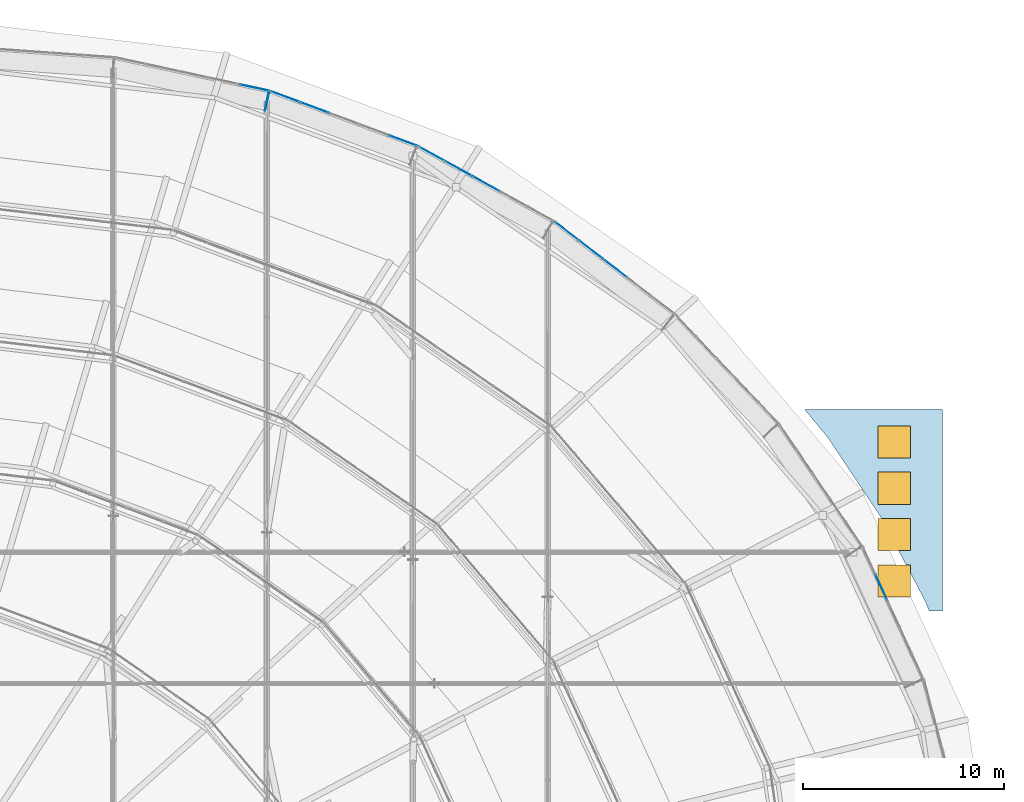
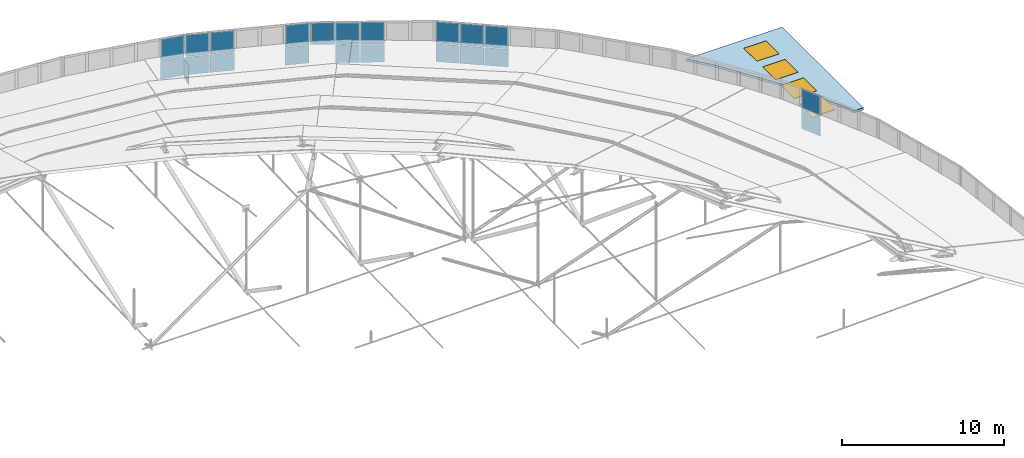
"""IFC4 building model written with IfcOpenShell, lengths in metres."""

from ifc_helpers import new_model, si_unit, direction, frame, origin, origin_2d, place, context, subcontext, project, spatial, polyline, rectangle, outline, extrude, material, layer, layer_set, type_object, element, fill, aggregate, save


model = new_model("IFC4")

# Units and contexts
model_context = context("Model", 3, precision=1e-05, world=origin(), true_north=direction((0.0, 1.0)))
body_context = subcontext(model_context, "Body", "Model", "MODEL_VIEW")
ifc_project = project(units=[si_unit("LENGTHUNIT", "METRE"), si_unit("AREAUNIT", "SQUARE_METRE"), si_unit("VOLUMEUNIT", "CUBIC_METRE"), si_unit("PLANEANGLEUNIT", "RADIAN"), si_unit("MASSUNIT", "GRAM", prefix="KILO")], contexts=[model_context])

# Site, building, storey
site_placement = place(None, origin())
site = spatial("IfcSite", under=ifc_project, at=site_placement, CompositionType="ELEMENT")
building_placement = place(site_placement, origin())
building = spatial("IfcBuilding", under=site, at=building_placement, Name="Glasvene Arena", CompositionType="ELEMENT")
storey_1_placement = place(building_placement, frame((0.0, 0.0, 28.800048828125)))
storey_1 = spatial("IfcBuildingStorey", under=building, at=storey_1_placement, Name="RF", CompositionType="ELEMENT", Elevation=28.800048828125)

# Curtain wall, plates
ifc_material_1 = material(Name="Low-emissivity laminated double glazing", Category="glass")
curtain_wall_type_1 = type_object("IfcCurtainWallType", Name="CW-DRUM-727x310", PredefinedType="USERDEFINED", material=ifc_material_1)
curtain_wall_1_placement = place(storey_1_placement, frame((140.075927734375, 87.07568359375, 0.0)))
curtain_wall_1 = element("IfcCurtainWall", 1, at=curtain_wall_1_placement, inside=storey_1, type_object=curtain_wall_type_1, Name="Crown compression-ring fascia curtain wall 03", ObjectType="CURTAIN WALL", PredefinedType="USERDEFINED")
ifc_material_2 = material(Name="Insulated shadow-box spandrel panel")
ifc_layer_1 = layer(ifc_material_2, 0.02392578125)
ifc_layer_set_1 = layer_set([ifc_layer_1], Name="Insulated shadow-box spandrel panel")
plate_type_1 = type_object("IfcPlateType", Name="CW-SPN-24", PredefinedType="CURTAIN_PANEL", material=ifc_layer_set_1)
plate_1_placement = place(storey_1_placement, frame((137.951171875, 91.6982421875, -1.330078125), z_axis=(0.0, 0.0, 1.0), x_axis=(-0.417660752738, 0.908603046232, 0.0)))
plate_1 = element("IfcPlate", 2, at=plate_1_placement, type_object=plate_type_1, Name="CW-073 panel 4.1", PredefinedType="CURTAIN_PANEL", context=body_context, shape_type="SweptSolid", body=[
    extrude(rectangle(XDim=1.403564453125, YDim=0.02392578125, at=origin_2d()), origin(), (0.0, 0.0, 1.0), 1.324951171875),
])
plate_2_placement = place(storey_1_placement, frame((137.951171875, 91.6982421875, 0.044921875), z_axis=(0.0, 0.0, 1.0), x_axis=(-0.417660752738, 0.908603046232, 0.0)))
plate_2 = element("IfcPlate", 3, at=plate_2_placement, type_object=plate_type_1, Name="CW-073 panel 4.2", PredefinedType="CURTAIN_PANEL", context=body_context, shape_type="SweptSolid", body=[
    extrude(rectangle(XDim=1.403564453125, YDim=0.02392578125, at=origin_2d()), origin(), (0.0, 0.0, 1.0), 1.625),
])
aggregate(curtain_wall_1, [plate_1, plate_2])

curtain_wall_type_2 = type_object("IfcCurtainWallType", Name="CW-DRUM-761x310", PredefinedType="USERDEFINED", material=ifc_material_1)
curtain_wall_2_placement = place(storey_1_placement, frame((127.744140625, 105.208740234375, 0.0)))
curtain_wall_2 = element("IfcCurtainWall", 4, at=curtain_wall_2_placement, inside=storey_1, type_object=curtain_wall_type_2, Name="Crown compression-ring fascia curtain wall 06", ObjectType="CURTAIN WALL", PredefinedType="USERDEFINED")
plate_3_placement = place(storey_1_placement, frame((124.728271484375, 107.52978515625, -1.330078125), z_axis=(0.0, 0.0, 1.0), x_axis=(-0.792482324569, 0.609894880488, 0.0)))
plate_3 = element("IfcPlate", 5, at=plate_3_placement, type_object=plate_type_1, Name="CW-076 panel 3.1", PredefinedType="CURTAIN_PANEL", context=body_context, shape_type="SweptSolid", body=[
    extrude(rectangle(XDim=1.47216796875, YDim=0.02392578125, at=origin_2d()), origin(), (0.0, 0.0, 1.0), 1.324951171875),
])
plate_4_placement = place(storey_1_placement, frame((124.728271484375, 107.52978515625, 0.044921875), z_axis=(0.0, 0.0, 1.0), x_axis=(-0.792482324569, 0.609894880488, 0.0)))
plate_4 = element("IfcPlate", 6, at=plate_4_placement, type_object=plate_type_1, Name="CW-076 panel 3.2", PredefinedType="CURTAIN_PANEL", context=body_context, shape_type="SweptSolid", body=[
    extrude(rectangle(XDim=1.47216796875, YDim=0.02392578125, at=origin_2d()), origin(), (0.0, 0.0, 1.0), 1.625),
])
plate_5_placement = place(storey_1_placement, frame((123.52197265625, 108.4580078125, -1.330078125), z_axis=(0.0, 0.0, 1.0), x_axis=(-0.792482324569, 0.609894880488, 0.0)))
plate_5 = element("IfcPlate", 7, at=plate_5_placement, type_object=plate_type_1, Name="CW-076 panel 4.1", PredefinedType="CURTAIN_PANEL", context=body_context, shape_type="SweptSolid", body=[
    extrude(rectangle(XDim=1.47216796875, YDim=0.02392578125, at=origin_2d()), origin(), (0.0, 0.0, 1.0), 1.324951171875),
])
plate_6_placement = place(storey_1_placement, frame((123.52197265625, 108.4580078125, 0.044921875), z_axis=(0.0, 0.0, 1.0), x_axis=(-0.792482324569, 0.609894880488, 0.0)))
plate_6 = element("IfcPlate", 8, at=plate_6_placement, type_object=plate_type_1, Name="CW-076 panel 4.2", PredefinedType="CURTAIN_PANEL", context=body_context, shape_type="SweptSolid", body=[
    extrude(rectangle(XDim=1.47216796875, YDim=0.02392578125, at=origin_2d()), origin(), (0.0, 0.0, 1.0), 1.625),
])
plate_7_placement = place(storey_1_placement, frame((122.32568359375, 109.37890625, -1.330078125), z_axis=(0.0, 0.0, 1.0), x_axis=(-0.792482324569, 0.609894880488, 0.0)))
plate_7 = element("IfcPlate", 9, at=plate_7_placement, type_object=plate_type_1, Name="CW-076 panel 5.1", PredefinedType="CURTAIN_PANEL", context=body_context, shape_type="SweptSolid", body=[
    extrude(rectangle(XDim=1.447265625, YDim=0.02392578125, at=origin_2d()), origin(), (0.0, 0.0, 1.0), 1.324951171875),
])
plate_8_placement = place(storey_1_placement, frame((122.32568359375, 109.37890625, 0.044921875), z_axis=(0.0, 0.0, 1.0), x_axis=(-0.792482324569, 0.609894880488, 0.0)))
plate_8 = element("IfcPlate", 10, at=plate_8_placement, type_object=plate_type_1, Name="CW-076 panel 5.2", PredefinedType="CURTAIN_PANEL", context=body_context, shape_type="SweptSolid", body=[
    extrude(rectangle(XDim=1.447265625, YDim=0.02392578125, at=origin_2d()), origin(), (0.0, 0.0, 1.0), 1.625),
])
aggregate(curtain_wall_2, [plate_3, plate_4, plate_5, plate_6, plate_7, plate_8])

curtain_wall_type_3 = type_object("IfcCurtainWallType", Name="CW-DRUM-773x310", PredefinedType="USERDEFINED", material=ifc_material_1)
curtain_wall_3_placement = place(storey_1_placement, frame((121.71240234375, 109.8505859375, 0.0)))
curtain_wall_3 = element("IfcCurtainWall", 11, at=curtain_wall_3_placement, inside=storey_1, type_object=curtain_wall_type_3, Name="Crown compression-ring fascia curtain wall 07", ObjectType="CURTAIN WALL", PredefinedType="USERDEFINED")
plate_9_placement = place(storey_1_placement, frame((118.330810546875, 111.718017578125, -1.330078125), z_axis=(0.0, 0.0, 1.0), x_axis=(-0.875406591103, 0.483387319086, 0.0)))
plate_9 = element("IfcPlate", 12, at=plate_9_placement, type_object=plate_type_1, Name="CW-077 panel 3.1", PredefinedType="CURTAIN_PANEL", context=body_context, shape_type="SweptSolid", body=[
    extrude(rectangle(XDim=1.4951171875, YDim=0.02392578125, at=origin_2d()), origin(), (0.0, 0.0, 1.0), 1.324951171875),
])
plate_10_placement = place(storey_1_placement, frame((118.330810546875, 111.718017578125, 0.044921875), z_axis=(0.0, 0.0, 1.0), x_axis=(-0.875406591103, 0.483387319086, 0.0)))
plate_10 = element("IfcPlate", 13, at=plate_10_placement, type_object=plate_type_1, Name="CW-077 panel 3.2", PredefinedType="CURTAIN_PANEL", context=body_context, shape_type="SweptSolid", body=[
    extrude(rectangle(XDim=1.4951171875, YDim=0.02392578125, at=origin_2d()), origin(), (0.0, 0.0, 1.0), 1.625),
])
plate_11_placement = place(storey_1_placement, frame((116.978271484375, 112.46484375, -1.330078125), z_axis=(0.0, 0.0, 1.0), x_axis=(-0.875406591103, 0.483387319086, 0.0)))
plate_11 = element("IfcPlate", 14, at=plate_11_placement, type_object=plate_type_1, Name="CW-077 panel 4.1", PredefinedType="CURTAIN_PANEL", context=body_context, shape_type="SweptSolid", body=[
    extrude(rectangle(XDim=1.4951171875, YDim=0.02392578125, at=origin_2d()), origin(), (0.0, 0.0, 1.0), 1.324951171875),
])
plate_12_placement = place(storey_1_placement, frame((116.978271484375, 112.46484375, 0.044921875), z_axis=(0.0, 0.0, 1.0), x_axis=(-0.875406591103, 0.483387319086, 0.0)))
plate_12 = element("IfcPlate", 15, at=plate_12_placement, type_object=plate_type_1, Name="CW-077 panel 4.2", PredefinedType="CURTAIN_PANEL", context=body_context, shape_type="SweptSolid", body=[
    extrude(rectangle(XDim=1.4951171875, YDim=0.02392578125, at=origin_2d()), origin(), (0.0, 0.0, 1.0), 1.625),
])
plate_13_placement = place(storey_1_placement, frame((115.636474609375, 113.205810546875, 0.044921875), z_axis=(0.0, 0.0, 1.0), x_axis=(-0.875406591103, 0.483387319086, 0.0)))
plate_13 = element("IfcPlate", 16, at=plate_13_placement, type_object=plate_type_1, Name="CW-077 panel 5.2", PredefinedType="CURTAIN_PANEL", context=body_context, shape_type="SweptSolid", body=[
    extrude(rectangle(XDim=1.47021484375, YDim=0.02392578125, at=origin_2d()), origin(), (0.0, 0.0, 1.0), 1.625),
])
aggregate(curtain_wall_3, [plate_9, plate_10, plate_11, plate_12, plate_13])

curtain_wall_type_4 = type_object("IfcCurtainWallType", Name="CW-DRUM-782x310", PredefinedType="USERDEFINED", material=ifc_material_1)
curtain_wall_4_placement = place(storey_1_placement, frame((114.94921875, 113.585205078125, 0.0)))
curtain_wall_4 = element("IfcCurtainWall", 17, at=curtain_wall_4_placement, inside=storey_1, type_object=curtain_wall_type_4, Name="Crown compression-ring fascia curtain wall 08", ObjectType="CURTAIN WALL", PredefinedType="USERDEFINED")
plate_14_placement = place(storey_1_placement, frame((114.20458984375, 113.86328125, -1.330078125), z_axis=(0.0, 0.0, 1.0), x_axis=(-0.936868153311, 0.349682803856, 0.0)))
plate_14 = element("IfcPlate", 18, at=plate_14_placement, type_object=plate_type_1, Name="CW-078 panel 1.1", PredefinedType="CURTAIN_PANEL", context=body_context, shape_type="SweptSolid", body=[
    extrude(rectangle(XDim=1.489501953125, YDim=0.02392578125, at=origin_2d()), origin(), (0.0, 0.0, 1.0), 1.324951171875),
])
plate_15_placement = place(storey_1_placement, frame((114.20458984375, 113.86328125, 0.044921875), z_axis=(0.0, 0.0, 1.0), x_axis=(-0.936868153311, 0.349682803856, 0.0)))
plate_15 = element("IfcPlate", 19, at=plate_15_placement, type_object=plate_type_1, Name="CW-078 panel 1.2", PredefinedType="CURTAIN_PANEL", context=body_context, shape_type="SweptSolid", body=[
    extrude(rectangle(XDim=1.489501953125, YDim=0.02392578125, at=origin_2d()), origin(), (0.0, 0.0, 1.0), 1.625),
])
plate_16_placement = place(storey_1_placement, frame((109.8193359375, 115.5, -1.330078125), z_axis=(0.0, 0.0, 1.0), x_axis=(-0.936868153311, 0.349682803856, 0.0)))
plate_16 = element("IfcPlate", 20, at=plate_16_placement, type_object=plate_type_1, Name="CW-078 panel 4.1", PredefinedType="CURTAIN_PANEL", context=body_context, shape_type="SweptSolid", body=[
    extrude(rectangle(XDim=1.514404296875, YDim=0.02392578125, at=origin_2d()), origin(), (0.0, 0.0, 1.0), 1.324951171875),
])
plate_17_placement = place(storey_1_placement, frame((109.8193359375, 115.5, 0.044921875), z_axis=(0.0, 0.0, 1.0), x_axis=(-0.936868153311, 0.349682803856, 0.0)))
plate_17 = element("IfcPlate", 21, at=plate_17_placement, type_object=plate_type_1, Name="CW-078 panel 4.2", PredefinedType="CURTAIN_PANEL", context=body_context, shape_type="SweptSolid", body=[
    extrude(rectangle(XDim=1.514404296875, YDim=0.02392578125, at=origin_2d()), origin(), (0.0, 0.0, 1.0), 1.625),
])
plate_18_placement = place(storey_1_placement, frame((108.365234375, 116.042724609375, -1.330078125), z_axis=(0.0, 0.0, 1.0), x_axis=(-0.936868153311, 0.349682803856, 0.0)))
plate_18 = element("IfcPlate", 22, at=plate_18_placement, type_object=plate_type_1, Name="CW-078 panel 5.1", PredefinedType="CURTAIN_PANEL", context=body_context, shape_type="SweptSolid", body=[
    extrude(rectangle(XDim=1.489501953125, YDim=0.02392578125, at=origin_2d()), origin(), (0.0, 0.0, 1.0), 1.324951171875),
])
plate_19_placement = place(storey_1_placement, frame((108.365234375, 116.042724609375, 0.044921875), z_axis=(0.0, 0.0, 1.0), x_axis=(-0.936868153311, 0.349682803856, 0.0)))
plate_19 = element("IfcPlate", 23, at=plate_19_placement, type_object=plate_type_1, Name="CW-078 panel 5.2", PredefinedType="CURTAIN_PANEL", context=body_context, shape_type="SweptSolid", body=[
    extrude(rectangle(XDim=1.489501953125, YDim=0.02392578125, at=origin_2d()), origin(), (0.0, 0.0, 1.0), 1.625),
])
aggregate(curtain_wall_4, [plate_14, plate_15, plate_16, plate_17, plate_18, plate_19])

curtain_wall_type_5 = type_object("IfcCurtainWallType", Name="CW-DRUM-789x310", PredefinedType="USERDEFINED", material=ifc_material_1)
curtain_wall_5_placement = place(storey_1_placement, frame((107.620849609375, 116.320556640625, 0.0)))
curtain_wall_5 = element("IfcCurtainWall", 24, at=curtain_wall_5_placement, inside=storey_1, type_object=curtain_wall_type_5, Name="Crown compression-ring fascia curtain wall 09", ObjectType="CURTAIN WALL", PredefinedType="USERDEFINED")
plate_20_placement = place(storey_1_placement, frame((106.83740234375, 116.489990234375, -1.330078125), z_axis=(0.0, 0.0, 1.0), x_axis=(-0.977389964658, 0.211444690135, 0.0)))
plate_20 = element("IfcPlate", 25, at=plate_20_placement, type_object=plate_type_1, Name="CW-079 panel 1.1", PredefinedType="CURTAIN_PANEL", context=body_context, shape_type="SweptSolid", body=[
    extrude(rectangle(XDim=1.503173828125, YDim=0.02392578125, at=origin_2d()), origin(), (0.0, 0.0, 1.0), 1.324951171875),
])
plate_21_placement = place(storey_1_placement, frame((106.83740234375, 116.489990234375, 0.044921875), z_axis=(0.0, 0.0, 1.0), x_axis=(-0.977389964658, 0.211444690135, 0.0)))
plate_21 = element("IfcPlate", 26, at=plate_21_placement, type_object=plate_type_1, Name="CW-079 panel 1.2", PredefinedType="CURTAIN_PANEL", context=body_context, shape_type="SweptSolid", body=[
    extrude(rectangle(XDim=1.503173828125, YDim=0.02392578125, at=origin_2d()), origin(), (0.0, 0.0, 1.0), 1.625),
])
aggregate(curtain_wall_5, [plate_20, plate_21])

# Plate
ifc_material_3 = material(Name="Steel S355J2", Category="steel")
ifc_layer_2 = layer(ifc_material_3, 0.035888671875)
ifc_layer_set_2 = layer_set([ifc_layer_2], Name="Steel S355J2")
plate_type_2 = type_object("IfcPlateType", Name="PL-CAP-36", PredefinedType="SHEET", material=ifc_layer_set_2)
plate_22_placement = place(storey_1_placement, frame((107.45068359375, 115.797607421875, -1.409912109375), z_axis=(0.0, 0.0, 1.0), x_axis=(-0.977452762534, 0.211154201982, 0.0)))
element("IfcPlate", 27, at=plate_22_placement, inside=storey_1, type_object=plate_type_2, Name="Ring beam node diaphragm cap plate ND-09", PredefinedType="SHEET", context=body_context, shape_type="SweptSolid", body=[
    extrude(rectangle(XDim=0.035888671875, YDim=0.919921875, at=origin_2d()), origin(), (0.0, 0.0, 1.0), 1.419921875),
])

# Slab, openings
ifc_material_4 = material(Name="Precast concrete C50/60", Category="concrete")
ifc_layer_3 = layer(ifc_material_4, 0.179931640625)
ifc_layer_set_3 = layer_set([ifc_layer_3], Name="Precast concrete C50/60")
slab_type = type_object("IfcSlabType", Name="SL-PETAL-180", PredefinedType="ROOF", material=ifc_layer_set_3)
slab_placement = place(storey_1_placement, frame((138.802734375, 94.4521484375, 0.0)))
slab = element("IfcSlab", 28, at=slab_placement, inside=storey_1, type_object=slab_type, Name="Core C2 North-East roof skylight deck", PredefinedType="ROOF", context=body_context, shape_type="SweptSolid", body=[
    extrude(outline(polyline([(1.34521484375, -3.48681640625), (0.517333984375, -1.9111328125), (0.517333984375, -1.732177734375), (0.423095703125, -1.732177734375), (-0.02880859375, -0.8720703125), (0.517333984375, -0.8720703125), (0.517333984375, 0.56787109375), (-0.78564453125, 0.56787109375), (-0.836669921875, 0.6650390625), (-3.466552734375, 4.614990234375), (-4.646240234375, 6.0478515625), (2.197265625, 6.0478515625), (2.197265625, -3.9521484375), (1.531005859375, -3.9521484375), (1.34521484375, -3.48681640625)]), holes=[polyline([(-0.9228515625, 2.867919921875), (-0.9228515625, 1.427734375), (0.517333984375, 1.427734375), (0.517333984375, 2.867919921875), (-0.9228515625, 2.867919921875)]), polyline([(0.517333984375, 5.16796875), (-0.9228515625, 5.16796875), (-0.9228515625, 3.727783203125), (0.517333984375, 3.727783203125), (0.517333984375, 5.16796875)])]), origin(), (0.0, 0.0, 1.0), 0.179931640625),
])
opening_1_placement = place(slab_placement, frame((-0.20263671875, -2.4521484375, -0.010009765625)))
opening_1 = element("IfcOpeningElement", 29, at=opening_1_placement, cuts=slab, Name="Opening SK-05", PredefinedType="OPENING", context=body_context, shape_type="SweptSolid", body=[
    extrude(rectangle(XDim=1.60009765625, YDim=1.60009765625, at=origin_2d()), origin(), (0.0, 0.0, 1.0), 0.199951171875),
])
opening_2_placement = place(slab_placement, frame((-0.20263671875, -0.152099609375, -0.010009765625)))
opening_2 = element("IfcOpeningElement", 30, at=opening_2_placement, cuts=slab, Name="Opening SK-05", PredefinedType="OPENING", context=body_context, shape_type="SweptSolid", body=[
    extrude(rectangle(XDim=1.60009765625, YDim=1.60009765625, at=origin_2d()), origin(), (0.0, 0.0, 1.0), 0.199951171875),
])
opening_3_placement = place(slab_placement, frame((-0.20263671875, 2.14794921875, -0.010009765625)))
opening_3 = element("IfcOpeningElement", 31, at=opening_3_placement, cuts=slab, Name="Opening SK-05", PredefinedType="OPENING", context=body_context, shape_type="SweptSolid", body=[
    extrude(rectangle(XDim=1.60009765625, YDim=1.60009765625, at=origin_2d()), origin(), (0.0, 0.0, 1.0), 0.199951171875),
])
opening_4_placement = place(slab_placement, frame((-0.20263671875, 4.44775390625, -0.010009765625)))
opening_4 = element("IfcOpeningElement", 32, at=opening_4_placement, cuts=slab, Name="Opening SK-05", PredefinedType="OPENING", context=body_context, shape_type="SweptSolid", body=[
    extrude(rectangle(XDim=1.60009765625, YDim=1.60009765625, at=origin_2d()), origin(), (0.0, 0.0, 1.0), 0.199951171875),
])

# Storey
storey_2_placement = place(building_placement, frame((0.0, 0.0, 24.0)))
storey_2 = spatial("IfcBuildingStorey", under=building, at=storey_2_placement, Name="L05", CompositionType="ELEMENT", Elevation=24.0)

# Window
window_type = type_object("IfcWindowType", Name="SK-CROWN-160x160", PartitioningType="SINGLE_PANEL", PredefinedType="SKYLIGHT", material=ifc_material_1)
window_1_placement = place(opening_1_placement, frame((0.0, 0.0, 0.139892578125)))
window_1 = element("IfcWindow", 33, at=window_1_placement, inside=storey_2, type_object=window_type, Name="Crown lantern structural skylight SK-05", OverallHeight=1.60009765625, OverallWidth=1.60009765625, PartitioningType="SINGLE_PANEL", PredefinedType="SKYLIGHT", context=body_context, shape_type="SweptSolid", body=[
    extrude(rectangle(XDim=1.60009765625, YDim=1.60009765625, at=origin_2d()), origin(), (0.0, 0.0, 1.0), 0.050048828125),
])

fill(opening_1, window_1)

window_2_placement = place(opening_2_placement, frame((0.0, 0.0, 0.139892578125)))
window_2 = element("IfcWindow", 34, at=window_2_placement, inside=storey_2, type_object=window_type, Name="Crown lantern structural skylight SK-06", OverallHeight=1.60009765625, OverallWidth=1.60009765625, PartitioningType="SINGLE_PANEL", PredefinedType="SKYLIGHT", context=body_context, shape_type="SweptSolid", body=[
    extrude(rectangle(XDim=1.60009765625, YDim=1.60009765625, at=origin_2d()), origin(), (0.0, 0.0, 1.0), 0.050048828125),
])

fill(opening_2, window_2)

window_3_placement = place(opening_3_placement, frame((0.0, 0.0, 0.139892578125)))
window_3 = element("IfcWindow", 35, at=window_3_placement, inside=storey_2, type_object=window_type, Name="Crown lantern structural skylight SK-07", OverallHeight=1.60009765625, OverallWidth=1.60009765625, PartitioningType="SINGLE_PANEL", PredefinedType="SKYLIGHT", context=body_context, shape_type="SweptSolid", body=[
    extrude(rectangle(XDim=1.60009765625, YDim=1.60009765625, at=origin_2d()), origin(), (0.0, 0.0, 1.0), 0.050048828125),
])

fill(opening_3, window_3)

window_4_placement = place(opening_4_placement, frame((0.0, 0.0, 0.139892578125)))
window_4 = element("IfcWindow", 36, at=window_4_placement, inside=storey_2, type_object=window_type, Name="Crown lantern structural skylight SK-08", OverallHeight=1.60009765625, OverallWidth=1.60009765625, PartitioningType="SINGLE_PANEL", PredefinedType="SKYLIGHT", context=body_context, shape_type="SweptSolid", body=[
    extrude(rectangle(XDim=1.60009765625, YDim=1.60009765625, at=origin_2d()), origin(), (0.0, 0.0, 1.0), 0.050048828125),
])

fill(opening_4, window_4)

save(model, "model.ifc")
